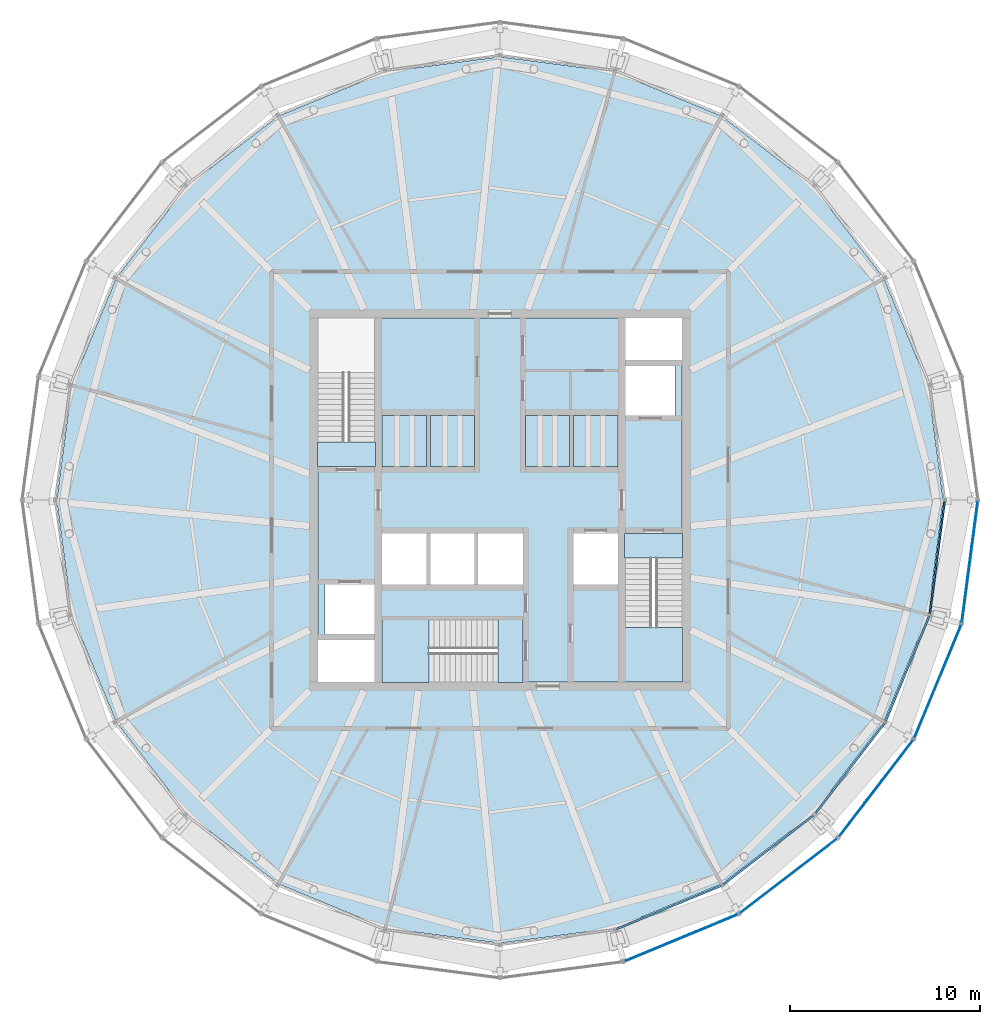
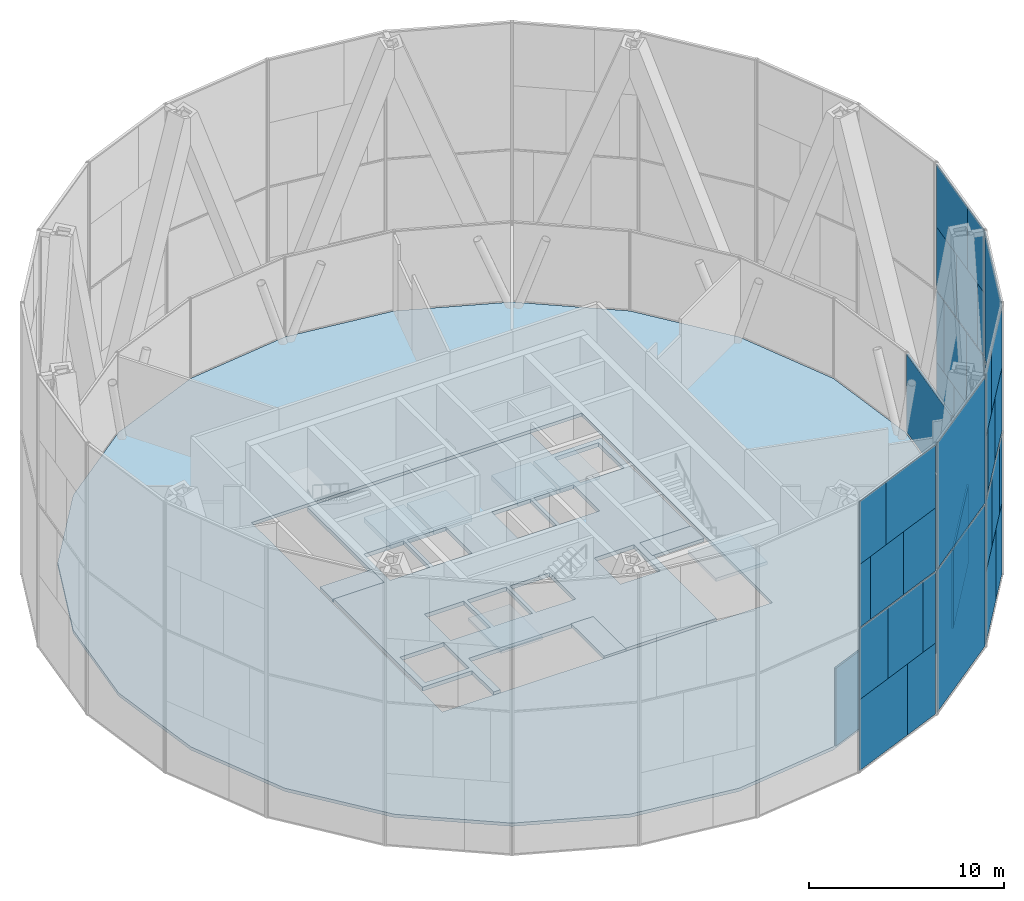
# One storey, part 10 of 15: 39 plates, 11 slabs, 12 elements without a shape of their own.
"""IFC4 building model written with IfcOpenShell, lengths in metres."""

from ifc_helpers import new_model, si_unit, direction, frame, origin, origin_2d, place, context, subcontext, project, spatial, polyline, rectangle, outline, extrude, material, layer, layer_set, type_object, element, aggregate, save


model = new_model("IFC4")

# Units and contexts
model_context = context("Model", 3, precision=1e-05, world=origin(), true_north=direction((0.0, 1.0)))
body_context = subcontext(model_context, "Body", "Model", "MODEL_VIEW")
ifc_project = project(units=[si_unit("LENGTHUNIT", "METRE"), si_unit("AREAUNIT", "SQUARE_METRE"), si_unit("VOLUMEUNIT", "CUBIC_METRE"), si_unit("PLANEANGLEUNIT", "RADIAN"), si_unit("MASSUNIT", "GRAM", prefix="KILO")], contexts=[model_context])

# Site, building, storey
site_placement = place(None, origin())
site = spatial("IfcSite", under=ifc_project, at=site_placement, CompositionType="ELEMENT")
building_placement = place(site_placement, origin())
building = spatial("IfcBuilding", under=site, at=building_placement, Name="Golbaran Civic Tower", CompositionType="ELEMENT")
storey_placement = place(building_placement, frame((0.0, 0.0, 215.0)))
storey = spatial("IfcBuildingStorey", under=building, at=storey_placement, Name="L52", CompositionType="ELEMENT", Elevation=215.0)

# Slabs
ifc_material_1 = material(Name="Concrete LC30/33 lightweight on steel deck", Category="concrete")
ifc_layer_1 = layer(ifc_material_1, 0.199951171875, Name="Concrete LC30/33 lightweight on steel deck")
ifc_layer_set_1 = layer_set([ifc_layer_1], Name="Concrete LC30/33 lightweight on steel deck")
slab_type_1 = type_object("IfcSlabType", Name="COMPOSITE FLOOR SLAB 200", PredefinedType="FLOOR", material=ifc_layer_set_1)
slab_1_placement = place(storey_placement, frame((0.0, 0.0, -0.199951171875)))
element("IfcSlab", 1, at=slab_1_placement, inside=storey, type_object=slab_type_1, Name="Floor slab L52", PredefinedType="FLOOR", context=body_context, shape_type="SweptSolid", body=[
    extrude(outline(polyline([(20.164794921875, -11.64208984375), (16.464599609375, -16.464599609375), (11.64208984375, -20.164794921875), (6.0263671875, -22.490966796875), (0.0, -23.284423828125), (-6.0263671875, -22.490966796875), (-11.64208984375, -20.164794921875), (-16.464599609375, -16.464599609375), (-20.164794921875, -11.64208984375), (-22.490966796875, -6.0263671875), (-23.284423828125, 0.0), (-22.490966796875, 6.0263671875), (-20.164794921875, 11.64208984375), (-16.464599609375, 16.464599609375), (-11.64208984375, 20.164794921875), (-6.0263671875, 22.490966796875), (0.0, 23.284423828125), (6.0263671875, 22.490966796875), (11.64208984375, 20.164794921875), (16.464599609375, 16.464599609375), (20.164794921875, 11.64208984375), (22.490966796875, 6.0263671875), (23.284423828125, 0.0), (22.490966796875, -6.0263671875), (20.164794921875, -11.64208984375)]), holes=[polyline([(-9.77490234375, 9.77490234375), (-9.77490234375, -9.77490234375), (9.77490234375, -9.77490234375), (9.77490234375, 9.77490234375), (-9.77490234375, 9.77490234375)])]), origin(), (0.0, 0.0, 1.0), 0.199951171875),
])
ifc_material_2 = material(Name="Concrete C35/45", Category="concrete")
ifc_layer_2 = layer(ifc_material_2, 0.25, Name="Concrete C35/45")
ifc_layer_set_2 = layer_set([ifc_layer_2], Name="Concrete C35/45")
slab_type_2 = type_object("IfcSlabType", Name="CORE FLOOR SLAB 250", PredefinedType="FLOOR", material=ifc_layer_set_2)
slab_2_placement = place(storey_placement, frame((0.0, 0.0, -0.25)))
element("IfcSlab", 2, at=slab_2_placement, inside=storey, type_object=slab_type_2, Name="Core floor slab L52", PredefinedType="FLOOR", context=body_context, shape_type="SweptSolid", body=[
    extrude(outline(polyline([(6.60009765625, -1.75), (6.60009765625, -9.550048828125), (1.199951171875, -9.550048828125), (1.199951171875, -6.300048828125), (-6.199951171875, -6.300048828125), (-6.199951171875, -9.550048828125), (-6.60009765625, -9.550048828125), (-6.60009765625, -7.35009765625), (-9.550048828125, -7.35009765625), (-9.550048828125, 1.75), (-6.60009765625, 1.75), (-6.60009765625, 9.550048828125), (6.60009765625, 9.550048828125), (6.60009765625, 7.35009765625), (9.550048828125, 7.35009765625), (9.550048828125, -1.75), (6.60009765625, -1.75)]), holes=[polyline([(9.199951171875, 7.050048828125), (6.60009765625, 7.050048828125), (6.60009765625, 4.449951171875), (9.199951171875, 4.449951171875), (9.199951171875, 7.050048828125)]), polyline([(6.199951171875, -1.75), (3.85009765625, -1.75), (3.85009765625, -4.449951171875), (6.199951171875, -4.449951171875), (6.199951171875, -1.75)]), polyline([(6.199951171875, 4.449951171875), (3.85009765625, 4.449951171875), (3.85009765625, 1.75), (6.199951171875, 1.75), (6.199951171875, 4.449951171875)]), polyline([(3.64990234375, 4.449951171875), (1.35009765625, 4.449951171875), (1.35009765625, 1.75), (3.64990234375, 1.75), (3.64990234375, 4.449951171875)]), polyline([(1.199951171875, -1.75), (-1.14990234375, -1.75), (-1.14990234375, -4.449951171875), (1.199951171875, -4.449951171875), (1.199951171875, -1.75)]), polyline([(-1.35009765625, 4.449951171875), (-3.64990234375, 4.449951171875), (-3.64990234375, 1.75), (-1.35009765625, 1.75), (-1.35009765625, 4.449951171875)]), polyline([(-1.35009765625, -1.75), (-3.64990234375, -1.75), (-3.64990234375, -4.449951171875), (-1.35009765625, -4.449951171875), (-1.35009765625, -1.75)]), polyline([(-3.85009765625, -1.75), (-6.199951171875, -1.75), (-6.199951171875, -4.449951171875), (-3.85009765625, -4.449951171875), (-3.85009765625, -1.75)]), polyline([(-3.85009765625, 4.449951171875), (-6.199951171875, 4.449951171875), (-6.199951171875, 1.75), (-3.85009765625, 1.75), (-3.85009765625, 4.449951171875)]), polyline([(-6.60009765625, -4.449951171875), (-9.199951171875, -4.449951171875), (-9.199951171875, -7.050048828125), (-6.60009765625, -7.050048828125), (-6.60009765625, -4.449951171875)])]), origin(), (0.0, 0.0, 1.0), 0.25),
])
ifc_layer_3 = layer(ifc_material_2, 0.300048828125, Name="Concrete C35/45")
ifc_layer_set_3 = layer_set([ifc_layer_3], Name="Concrete C35/45")
slab_type_3 = type_object("IfcSlabType", Name="LIFT PIT SLAB 300", PredefinedType="FLOOR", material=ifc_layer_set_3)
slab_3_placement = place(storey_placement, frame((0.0, 0.0, 2.0)))
element("IfcSlab", 3, at=slab_3_placement, inside=storey, type_object=slab_type_3, Name="Lift pit slab Z1T", PredefinedType="FLOOR", context=body_context, shape_type="SweptSolid", body=[
    extrude(outline(polyline([(-6.199951171875, 1.75), (-3.85009765625, 1.75), (-3.85009765625, 4.449951171875), (-6.199951171875, 4.449951171875), (-6.199951171875, 1.75)])), origin(), (0.0, 0.0, 1.0), 0.300048828125),
])
slab_4_placement = place(storey_placement, frame((0.0, 0.0, 2.0)))
element("IfcSlab", 4, at=slab_4_placement, inside=storey, type_object=slab_type_3, Name="Lift pit slab Z2T", PredefinedType="FLOOR", context=body_context, shape_type="SweptSolid", body=[
    extrude(outline(polyline([(-3.64990234375, 1.75), (-1.35009765625, 1.75), (-1.35009765625, 4.449951171875), (-3.64990234375, 4.449951171875), (-3.64990234375, 1.75)])), origin(), (0.0, 0.0, 1.0), 0.300048828125),
])
slab_5_placement = place(storey_placement, frame((0.0, 0.0, 2.0)))
element("IfcSlab", 5, at=slab_5_placement, inside=storey, type_object=slab_type_3, Name="Lift pit slab Z3T", PredefinedType="FLOOR", context=body_context, shape_type="SweptSolid", body=[
    extrude(outline(polyline([(1.35009765625, 1.75), (3.64990234375, 1.75), (3.64990234375, 4.449951171875), (1.35009765625, 4.449951171875), (1.35009765625, 1.75)])), origin(), (0.0, 0.0, 1.0), 0.300048828125),
])
slab_6_placement = place(storey_placement, frame((0.0, 0.0, 2.0)))
element("IfcSlab", 6, at=slab_6_placement, inside=storey, type_object=slab_type_3, Name="Lift pit slab Z4T", PredefinedType="FLOOR", context=body_context, shape_type="SweptSolid", body=[
    extrude(outline(polyline([(3.85009765625, 1.75), (6.199951171875, 1.75), (6.199951171875, 4.449951171875), (3.85009765625, 4.449951171875), (3.85009765625, 1.75)])), origin(), (0.0, 0.0, 1.0), 0.300048828125),
])

# Curtain wall, plates
ifc_material_3 = material(Name="Aluminium and glass", Category="aluminium")
curtain_wall_type_1 = type_object("IfcCurtainWallType", Name="OUTER SKIN TERRACOTTA SCREEN", PredefinedType="NOTDEFINED", material=ifc_material_3)
curtain_wall_1_placement = place(storey_placement, origin())
curtain_wall_1 = element("IfcCurtainWall", 7, at=curtain_wall_1_placement, inside=storey, type_object=curtain_wall_type_1, Name="Outer skin L52 facet 20 CW3", ObjectType="OUTER SKIN", PredefinedType="USERDEFINED")
ifc_material_4 = material(Name="Clear laminated glass", Category="glass")
ifc_layer_4 = layer(ifc_material_4, 0.0400390625, Name="Clear laminated glass")
ifc_layer_set_4 = layer_set([ifc_layer_4], Name="Clear laminated glass")
plate_type_1 = type_object("IfcPlateType", Name="OUTER SKIN CLEAR GLASS PANEL", PredefinedType="CURTAIN_PANEL", material=ifc_layer_set_4)
plate_1_placement = place(storey_placement, frame((8.434814453125, -23.4482421875, -0.6298828125), z_axis=(0.0, 0.0, 1.0), x_axis=(0.923879532485, 0.38268343243, 0.0)))
plate_1 = element("IfcPlate", 8, at=plate_1_placement, type_object=plate_type_1, Name="CW3 panel 1.1 part 1", PredefinedType="CURTAIN_PANEL", context=body_context, shape_type="SweptSolid", body=[
    extrude(rectangle(XDim=4.032958984375, YDim=0.0400390625, at=origin_2d()), origin(), (0.0, 0.0, 1.0), 4.43994140625),
])
plate_2_placement = place(storey_placement, frame((7.67724609375, -23.761962890625, 3.81005859375), z_axis=(0.0, 0.0, 1.0), x_axis=(0.923879532485, 0.38268343243, 0.0)))
plate_2 = element("IfcPlate", 9, at=plate_2_placement, type_object=plate_type_1, Name="CW3 panel 1.1 part 3", PredefinedType="CURTAIN_PANEL", context=body_context, shape_type="SweptSolid", body=[
    extrude(rectangle(XDim=2.39306640625, YDim=0.0400390625, at=origin_2d()), origin(), (0.0, 0.0, 1.0), 4.43994140625),
])
plate_3_placement = place(storey_placement, frame((11.998779296875, -21.971923828125, 3.81005859375), z_axis=(0.0, 0.0, 1.0), x_axis=(0.923879532485, 0.38268343243, 0.0)))
plate_3 = element("IfcPlate", 10, at=plate_3_placement, type_object=plate_type_1, Name="CW3 panel 1.1 part 5", PredefinedType="CURTAIN_PANEL", context=body_context, shape_type="SweptSolid", body=[
    extrude(rectangle(XDim=1.0400390625, YDim=0.0400390625, at=origin_2d()), origin(), (0.0, 0.0, 1.0), 4.43994140625),
])
plate_4_placement = place(storey_placement, frame((6.9912109375, -24.046142578125, 8.330078125), z_axis=(0.0, 0.0, 1.0), x_axis=(0.923879532485, 0.38268343243, 0.0)))
plate_4 = element("IfcPlate", 11, at=plate_4_placement, type_object=plate_type_1, Name="CW3 panel 1.2 part 1", PredefinedType="CURTAIN_PANEL", context=body_context, shape_type="SweptSolid", body=[
    extrude(rectangle(XDim=0.907958984375, YDim=0.0400390625, at=origin_2d()), origin(), (0.0, 0.0, 1.0), 3.93994140625),
])
plate_5_placement = place(storey_placement, frame((11.225341796875, -22.292236328125, 8.330078125), z_axis=(0.0, 0.0, 1.0), x_axis=(0.923879532485, 0.38268343243, 0.0)))
plate_5 = element("IfcPlate", 12, at=plate_5_placement, type_object=plate_type_1, Name="CW3 panel 1.2 part 3", PredefinedType="CURTAIN_PANEL", context=body_context, shape_type="SweptSolid", body=[
    extrude(rectangle(XDim=2.7138671875, YDim=0.0400390625, at=origin_2d()), origin(), (0.0, 0.0, 1.0), 3.93994140625),
])
plate_6_placement = place(storey_placement, frame((10.550537109375, -22.57177734375, 12.27001953125), z_axis=(0.0, 0.0, 1.0), x_axis=(0.923879532485, 0.38268343243, 0.0)))
plate_6 = element("IfcPlate", 13, at=plate_6_placement, type_object=plate_type_1, Name="CW3 panel 1.2 part 5", PredefinedType="CURTAIN_PANEL", context=body_context, shape_type="SweptSolid", body=[
    extrude(rectangle(XDim=4.175048828125, YDim=0.0400390625, at=origin_2d()), origin(), (0.0, 0.0, 1.0), 3.93994140625),
])

curtain_wall_2_placement = place(storey_placement, origin())
curtain_wall_2 = element("IfcCurtainWall", 14, at=curtain_wall_2_placement, inside=storey, type_object=curtain_wall_type_1, Name="Outer skin L52 facet 22 CW3", ObjectType="OUTER SKIN", PredefinedType="USERDEFINED")
plate_7_placement = place(storey_placement, frame((19.02880859375, -16.08935546875, -0.6298828125), z_axis=(0.0, 0.0, 1.0), x_axis=(0.60876142905, 0.793353340259, 0.0)))
plate_7 = element("IfcPlate", 15, at=plate_7_placement, type_object=plate_type_1, Name="CW3 panel 1.1 part 1", PredefinedType="CURTAIN_PANEL", context=body_context, shape_type="SweptSolid", body=[
    extrude(rectangle(XDim=4.032958984375, YDim=0.0400390625, at=origin_2d()), origin(), (0.0, 0.0, 1.0), 4.43994140625),
])
plate_8_placement = place(storey_placement, frame((18.52978515625, -16.739990234375, 3.81005859375), z_axis=(0.0, 0.0, 1.0), x_axis=(0.60876142905, 0.793353340259, 0.0)))
plate_8 = element("IfcPlate", 16, at=plate_8_placement, type_object=plate_type_1, Name="CW3 panel 1.1 part 3", PredefinedType="CURTAIN_PANEL", context=body_context, shape_type="SweptSolid", body=[
    extrude(rectangle(XDim=2.39306640625, YDim=0.0400390625, at=origin_2d()), origin(), (0.0, 0.0, 1.0), 4.43994140625),
])
plate_9_placement = place(storey_placement, frame((21.377197265625, -13.029052734375, 3.81005859375), z_axis=(0.0, 0.0, 1.0), x_axis=(0.60876142905, 0.793353340259, 0.0)))
plate_9 = element("IfcPlate", 17, at=plate_9_placement, type_object=plate_type_1, Name="CW3 panel 1.1 part 5", PredefinedType="CURTAIN_PANEL", context=body_context, shape_type="SweptSolid", body=[
    extrude(rectangle(XDim=1.0400390625, YDim=0.0400390625, at=origin_2d()), origin(), (0.0, 0.0, 1.0), 4.43994140625),
])
plate_10_placement = place(storey_placement, frame((18.07763671875, -17.328857421875, 8.330078125), z_axis=(0.0, 0.0, 1.0), x_axis=(0.60876142905, 0.793353340259, 0.0)))
plate_10 = element("IfcPlate", 18, at=plate_10_placement, type_object=plate_type_1, Name="CW3 panel 1.2 part 1", PredefinedType="CURTAIN_PANEL", context=body_context, shape_type="SweptSolid", body=[
    extrude(rectangle(XDim=0.907958984375, YDim=0.0400390625, at=origin_2d()), origin(), (0.0, 0.0, 1.0), 3.93994140625),
])
plate_11_placement = place(storey_placement, frame((20.86767578125, -13.693115234375, 8.330078125), z_axis=(0.0, 0.0, 1.0), x_axis=(0.60876142905, 0.793353340259, 0.0)))
plate_11 = element("IfcPlate", 19, at=plate_11_placement, type_object=plate_type_1, Name="CW3 panel 1.2 part 3", PredefinedType="CURTAIN_PANEL", context=body_context, shape_type="SweptSolid", body=[
    extrude(rectangle(XDim=2.7138671875, YDim=0.0400390625, at=origin_2d()), origin(), (0.0, 0.0, 1.0), 3.93994140625),
])
plate_12_placement = place(storey_placement, frame((20.4228515625, -14.272705078125, 12.27001953125), z_axis=(0.0, 0.0, 1.0), x_axis=(0.60876142905, 0.793353340259, 0.0)))
plate_12 = element("IfcPlate", 20, at=plate_12_placement, type_object=plate_type_1, Name="CW3 panel 1.2 part 5", PredefinedType="CURTAIN_PANEL", context=body_context, shape_type="SweptSolid", body=[
    extrude(rectangle(XDim=4.175048828125, YDim=0.0400390625, at=origin_2d()), origin(), (0.0, 0.0, 1.0), 3.93994140625),
])

curtain_wall_3_placement = place(storey_placement, origin())
curtain_wall_3 = element("IfcCurtainWall", 21, at=curtain_wall_3_placement, inside=storey, type_object=curtain_wall_type_1, Name="Outer skin L52 facet 24 CW3", ObjectType="OUTER SKIN", PredefinedType="USERDEFINED")
plate_13_placement = place(storey_placement, frame((24.524169921875, -4.41943359375, -0.6298828125), z_axis=(0.0, 0.0, 1.0), x_axis=(0.130526192203, 0.991444861376, 0.0)))
plate_13 = element("IfcPlate", 22, at=plate_13_placement, type_object=plate_type_1, Name="CW3 panel 1.1 part 1", PredefinedType="CURTAIN_PANEL", context=body_context, shape_type="SweptSolid", body=[
    extrude(rectangle(XDim=4.032958984375, YDim=0.0400390625, at=origin_2d()), origin(), (0.0, 0.0, 1.0), 4.43994140625),
])
plate_14_placement = place(storey_placement, frame((24.417236328125, -5.232421875, 3.81005859375), z_axis=(0.0, 0.0, 1.0), x_axis=(0.130526192203, 0.991444861376, 0.0)))
plate_14 = element("IfcPlate", 23, at=plate_14_placement, type_object=plate_type_1, Name="CW3 panel 1.1 part 3", PredefinedType="CURTAIN_PANEL", context=body_context, shape_type="SweptSolid", body=[
    extrude(rectangle(XDim=2.39306640625, YDim=0.0400390625, at=origin_2d()), origin(), (0.0, 0.0, 1.0), 4.43994140625),
])
plate_15_placement = place(storey_placement, frame((25.027587890625, -0.594970703125, 3.81005859375), z_axis=(0.0, 0.0, 1.0), x_axis=(0.130526192203, 0.991444861376, 0.0)))
plate_15 = element("IfcPlate", 24, at=plate_15_placement, type_object=plate_type_1, Name="CW3 panel 1.1 part 5", PredefinedType="CURTAIN_PANEL", context=body_context, shape_type="SweptSolid", body=[
    extrude(rectangle(XDim=1.0400390625, YDim=0.0400390625, at=origin_2d()), origin(), (0.0, 0.0, 1.0), 4.43994140625),
])
plate_16_placement = place(storey_placement, frame((24.3203125, -5.968505859375, 8.330078125), z_axis=(0.0, 0.0, 1.0), x_axis=(0.130526192203, 0.991444861376, 0.0)))
plate_16 = element("IfcPlate", 25, at=plate_16_placement, type_object=plate_type_1, Name="CW3 panel 1.2 part 1", PredefinedType="CURTAIN_PANEL", context=body_context, shape_type="SweptSolid", body=[
    extrude(rectangle(XDim=0.907958984375, YDim=0.0400390625, at=origin_2d()), origin(), (0.0, 0.0, 1.0), 3.93994140625),
])
plate_17_placement = place(storey_placement, frame((24.91845703125, -1.4248046875, 8.330078125), z_axis=(0.0, 0.0, 1.0), x_axis=(0.130526192203, 0.991444861376, 0.0)))
plate_17 = element("IfcPlate", 26, at=plate_17_placement, type_object=plate_type_1, Name="CW3 panel 1.2 part 3", PredefinedType="CURTAIN_PANEL", context=body_context, shape_type="SweptSolid", body=[
    extrude(rectangle(XDim=2.7138671875, YDim=0.0400390625, at=origin_2d()), origin(), (0.0, 0.0, 1.0), 3.93994140625),
])
plate_18_placement = place(storey_placement, frame((24.822998046875, -2.14892578125, 12.27001953125), z_axis=(0.0, 0.0, 1.0), x_axis=(0.130526192203, 0.991444861376, 0.0)))
plate_18 = element("IfcPlate", 27, at=plate_18_placement, type_object=plate_type_1, Name="CW3 panel 1.2 part 5", PredefinedType="CURTAIN_PANEL", context=body_context, shape_type="SweptSolid", body=[
    extrude(rectangle(XDim=4.175048828125, YDim=0.0400390625, at=origin_2d()), origin(), (0.0, 0.0, 1.0), 3.93994140625),
])

# Plate
ifc_material_5 = material(Name="Terracotta baguette screen", Category="masonry")
ifc_layer_5 = layer(ifc_material_5, 0.0400390625, Name="Terracotta baguette screen")
ifc_layer_set_5 = layer_set([ifc_layer_5], Name="Terracotta baguette screen")
plate_type_2 = type_object("IfcPlateType", Name="OUTER SKIN TERRACOTTA INFILL PANEL", PredefinedType="CURTAIN_PANEL", material=ifc_layer_set_5)
plate_19_placement = place(storey_placement, frame((11.388427734375, -22.224853515625, -0.6298828125), z_axis=(0.0, 0.0, 1.0), x_axis=(0.923879532485, 0.38268343243, 0.0)))
plate_19 = element("IfcPlate", 28, at=plate_19_placement, type_object=plate_type_2, Name="CW3 infill panel 1.1 part 2", PredefinedType="CURTAIN_PANEL", context=body_context, shape_type="SweptSolid", body=[
    extrude(rectangle(XDim=2.361083984375, YDim=0.0400390625, at=origin_2d()), origin(), (0.0, 0.0, 1.0), 4.43994140625),
])

plate_20_placement = place(storey_placement, frame((10.150390625, -22.737548828125, 3.81005859375), z_axis=(0.0, 0.0, 1.0), x_axis=(0.923879532485, 0.38268343243, 0.0)))
plate_20 = element("IfcPlate", 29, at=plate_20_placement, type_object=plate_type_2, Name="CW3 infill panel 1.1 part 4", PredefinedType="CURTAIN_PANEL", context=body_context, shape_type="SweptSolid", body=[
    extrude(rectangle(XDim=2.9609375, YDim=0.0400390625, at=origin_2d()), origin(), (0.0, 0.0, 1.0), 4.43994140625),
])

plate_21_placement = place(storey_placement, frame((8.691162109375, -23.342041015625, 8.330078125), z_axis=(0.0, 0.0, 1.0), x_axis=(0.923879532485, 0.38268343243, 0.0)))
plate_21 = element("IfcPlate", 30, at=plate_21_placement, type_object=plate_type_2, Name="CW3 infill panel 1.2 part 2", PredefinedType="CURTAIN_PANEL", context=body_context, shape_type="SweptSolid", body=[
    extrude(rectangle(XDim=2.77197265625, YDim=0.0400390625, at=origin_2d()), origin(), (0.0, 0.0, 1.0), 3.93994140625),
])

plate_22_placement = place(storey_placement, frame((7.596923828125, -23.79541015625, 12.27001953125), z_axis=(0.0, 0.0, 1.0), x_axis=(0.923879532485, 0.38268343243, 0.0)))
plate_22 = element("IfcPlate", 31, at=plate_22_placement, type_object=plate_type_2, Name="CW3 infill panel 1.2 part 4", PredefinedType="CURTAIN_PANEL", context=body_context, shape_type="SweptSolid", body=[
    extrude(rectangle(XDim=2.218994140625, YDim=0.0400390625, at=origin_2d()), origin(), (0.0, 0.0, 1.0), 3.93994140625),
])

aggregate(curtain_wall_1, [plate_1, plate_19, plate_2, plate_20, plate_3, plate_4, plate_21, plate_5, plate_22, plate_6])

plate_23_placement = place(storey_placement, frame((20.97509765625, -13.552978515625, -0.6298828125), z_axis=(0.0, 0.0, 1.0), x_axis=(0.60876142905, 0.793353340259, 0.0)))
plate_23 = element("IfcPlate", 32, at=plate_23_placement, type_object=plate_type_2, Name="CW3 infill panel 1.1 part 2", PredefinedType="CURTAIN_PANEL", context=body_context, shape_type="SweptSolid", body=[
    extrude(rectangle(XDim=2.361083984375, YDim=0.0400390625, at=origin_2d()), origin(), (0.0, 0.0, 1.0), 4.43994140625),
])

plate_24_placement = place(storey_placement, frame((20.159423828125, -14.6162109375, 3.81005859375), z_axis=(0.0, 0.0, 1.0), x_axis=(0.60876142905, 0.793353340259, 0.0)))
plate_24 = element("IfcPlate", 33, at=plate_24_placement, type_object=plate_type_2, Name="CW3 infill panel 1.1 part 4", PredefinedType="CURTAIN_PANEL", context=body_context, shape_type="SweptSolid", body=[
    extrude(rectangle(XDim=2.9609375, YDim=0.0400390625, at=origin_2d()), origin(), (0.0, 0.0, 1.0), 4.43994140625),
])

plate_25_placement = place(storey_placement, frame((19.19775390625, -15.869140625, 8.330078125), z_axis=(0.0, 0.0, 1.0), x_axis=(0.60876142905, 0.793353340259, 0.0)))
plate_25 = element("IfcPlate", 34, at=plate_25_placement, type_object=plate_type_2, Name="CW3 infill panel 1.2 part 2", PredefinedType="CURTAIN_PANEL", context=body_context, shape_type="SweptSolid", body=[
    extrude(rectangle(XDim=2.77197265625, YDim=0.0400390625, at=origin_2d()), origin(), (0.0, 0.0, 1.0), 3.93994140625),
])

plate_26_placement = place(storey_placement, frame((18.476806640625, -16.808837890625, 12.27001953125), z_axis=(0.0, 0.0, 1.0), x_axis=(0.60876142905, 0.793353340259, 0.0)))
plate_26 = element("IfcPlate", 35, at=plate_26_placement, type_object=plate_type_2, Name="CW3 infill panel 1.2 part 4", PredefinedType="CURTAIN_PANEL", context=body_context, shape_type="SweptSolid", body=[
    extrude(rectangle(XDim=2.218994140625, YDim=0.0400390625, at=origin_2d()), origin(), (0.0, 0.0, 1.0), 3.93994140625),
])

aggregate(curtain_wall_2, [plate_7, plate_23, plate_8, plate_24, plate_9, plate_10, plate_25, plate_11, plate_26, plate_12])

plate_27_placement = place(storey_placement, frame((24.94140625, -1.249755859375, -0.6298828125), z_axis=(0.0, 0.0, 1.0), x_axis=(0.130526192203, 0.991444861376, 0.0)))
plate_27 = element("IfcPlate", 36, at=plate_27_placement, type_object=plate_type_2, Name="CW3 infill panel 1.1 part 2", PredefinedType="CURTAIN_PANEL", context=body_context, shape_type="SweptSolid", body=[
    extrude(rectangle(XDim=2.361083984375, YDim=0.0400390625, at=origin_2d()), origin(), (0.0, 0.0, 1.0), 4.43994140625),
])

plate_28_placement = place(storey_placement, frame((24.7666015625, -2.578125, 3.81005859375), z_axis=(0.0, 0.0, 1.0), x_axis=(0.130526192203, 0.991444861376, 0.0)))
plate_28 = element("IfcPlate", 37, at=plate_28_placement, type_object=plate_type_2, Name="CW3 infill panel 1.1 part 4", PredefinedType="CURTAIN_PANEL", context=body_context, shape_type="SweptSolid", body=[
    extrude(rectangle(XDim=2.9609375, YDim=0.0400390625, at=origin_2d()), origin(), (0.0, 0.0, 1.0), 4.43994140625),
])

plate_29_placement = place(storey_placement, frame((24.560302734375, -4.144287109375, 8.330078125), z_axis=(0.0, 0.0, 1.0), x_axis=(0.130526192203, 0.991444861376, 0.0)))
plate_29 = element("IfcPlate", 38, at=plate_29_placement, type_object=plate_type_2, Name="CW3 infill panel 1.2 part 2", PredefinedType="CURTAIN_PANEL", context=body_context, shape_type="SweptSolid", body=[
    extrude(rectangle(XDim=2.77197265625, YDim=0.0400390625, at=origin_2d()), origin(), (0.0, 0.0, 1.0), 3.93994140625),
])

plate_30_placement = place(storey_placement, frame((24.40576171875, -5.318603515625, 12.27001953125), z_axis=(0.0, 0.0, 1.0), x_axis=(0.130526192203, 0.991444861376, 0.0)))
plate_30 = element("IfcPlate", 39, at=plate_30_placement, type_object=plate_type_2, Name="CW3 infill panel 1.2 part 4", PredefinedType="CURTAIN_PANEL", context=body_context, shape_type="SweptSolid", body=[
    extrude(rectangle(XDim=2.218994140625, YDim=0.0400390625, at=origin_2d()), origin(), (0.0, 0.0, 1.0), 3.93994140625),
])

aggregate(curtain_wall_3, [plate_13, plate_27, plate_14, plate_28, plate_15, plate_16, plate_29, plate_17, plate_30, plate_18])

# Curtain wall, plates
curtain_wall_4_placement = place(storey_placement, origin())
curtain_wall_4 = element("IfcCurtainWall", 40, at=curtain_wall_4_placement, inside=storey, type_object=curtain_wall_type_1, Name="Outer skin L52 facet 21 CW3", ObjectType="OUTER SKIN", PredefinedType="USERDEFINED")
ifc_layer_6 = layer(ifc_material_5, 0.0400390625, Name="Terracotta baguette screen")
ifc_layer_set_6 = layer_set([ifc_layer_6], Name="Terracotta baguette screen")
plate_type_3 = type_object("IfcPlateType", Name="OUTER SKIN TERRACOTTA SCREEN PANEL", PredefinedType="CURTAIN_PANEL", material=ifc_layer_set_6)
plate_31_placement = place(storey_placement, frame((15.15283203125, -19.74755859375, -0.6298828125), z_axis=(0.0, 0.0, 1.0), x_axis=(0.793353340259, 0.60876142905, 0.0)))
plate_31 = element("IfcPlate", 41, at=plate_31_placement, type_object=plate_type_3, Name="CW3 terracotta screen panel 1.1", PredefinedType="CURTAIN_PANEL", context=body_context, shape_type="SweptSolid", body=[
    extrude(rectangle(XDim=6.39404296875, YDim=0.0400390625, at=origin_2d()), origin(), (0.0, 0.0, 1.0), 8.8798828125),
])
plate_32_placement = place(storey_placement, frame((15.15283203125, -19.74755859375, 8.330078125), z_axis=(0.0, 0.0, 1.0), x_axis=(0.793353340259, 0.60876142905, 0.0)))
plate_32 = element("IfcPlate", 42, at=plate_32_placement, type_object=plate_type_3, Name="CW3 terracotta screen panel 1.2", PredefinedType="CURTAIN_PANEL", context=body_context, shape_type="SweptSolid", body=[
    extrude(rectangle(XDim=6.39404296875, YDim=0.0400390625, at=origin_2d()), origin(), (0.0, 0.0, 1.0), 7.8798828125),
])
aggregate(curtain_wall_4, [plate_31, plate_32])

curtain_wall_5_placement = place(storey_placement, origin())
curtain_wall_5 = element("IfcCurtainWall", 43, at=curtain_wall_5_placement, inside=storey, type_object=curtain_wall_type_1, Name="Outer skin L52 facet 23 CW3", ObjectType="OUTER SKIN", PredefinedType="USERDEFINED")
plate_33_placement = place(storey_placement, frame((22.99658203125, -9.525390625, -0.6298828125), z_axis=(0.0, 0.0, 1.0), x_axis=(0.38268343243, 0.923879532485, 0.0)))
plate_33 = element("IfcPlate", 44, at=plate_33_placement, type_object=plate_type_3, Name="CW3 terracotta screen panel 1.1", PredefinedType="CURTAIN_PANEL", context=body_context, shape_type="SweptSolid", body=[
    extrude(rectangle(XDim=6.39404296875, YDim=0.0400390625, at=origin_2d()), origin(), (0.0, 0.0, 1.0), 8.8798828125),
])
plate_34_placement = place(storey_placement, frame((22.99658203125, -9.525390625, 8.330078125), z_axis=(0.0, 0.0, 1.0), x_axis=(0.38268343243, 0.923879532485, 0.0)))
plate_34 = element("IfcPlate", 45, at=plate_34_placement, type_object=plate_type_3, Name="CW3 terracotta screen panel 1.2", PredefinedType="CURTAIN_PANEL", context=body_context, shape_type="SweptSolid", body=[
    extrude(rectangle(XDim=6.39404296875, YDim=0.0400390625, at=origin_2d()), origin(), (0.0, 0.0, 1.0), 7.8798828125),
])
aggregate(curtain_wall_5, [plate_33, plate_34])

# Curtain wall, plate
curtain_wall_type_2 = type_object("IfcCurtainWallType", Name="PLANT FLOOR LOUVRE WALL", PredefinedType="NOTDEFINED", material=ifc_material_3)
curtain_wall_6_placement = place(storey_placement, origin())
curtain_wall_6 = element("IfcCurtainWall", 46, at=curtain_wall_6_placement, inside=storey, type_object=curtain_wall_type_2, Name="Inner skin L52 facet 20 CW6", ObjectType="PLANT LOUVRE WALL", PredefinedType="USERDEFINED")
ifc_material_6 = material(Name="Aluminium louvre", Category="aluminium")
ifc_layer_7 = layer(ifc_material_6, 0.10009765625, Name="Aluminium louvre")
ifc_layer_set_7 = layer_set([ifc_layer_7], Name="Aluminium louvre")
plate_type_4 = type_object("IfcPlateType", Name="PLANT FLOOR LOUVRE WALL LOUVRE PANEL", PredefinedType="CURTAIN_PANEL", material=ifc_layer_set_7)
plate_35_placement = place(storey_placement, frame((8.864990234375, -21.40185546875, 0.06982421875), z_axis=(0.0, 0.0, 1.0), x_axis=(0.923879532498, 0.382683432397, 0.0)))
plate_35 = element("IfcPlate", 47, at=plate_35_placement, type_object=plate_type_4, Name="CW6 panel 1.1", PredefinedType="CURTAIN_PANEL", context=body_context, shape_type="SweptSolid", body=[
    extrude(rectangle(XDim=5.95947265625, YDim=0.10009765625, at=origin_2d()), origin(), (0.0, 0.0, 1.0), 4.860107421875),
])
aggregate(curtain_wall_6, [plate_35])

curtain_wall_7_placement = place(storey_placement, origin())
curtain_wall_7 = element("IfcCurtainWall", 48, at=curtain_wall_7_placement, inside=storey, type_object=curtain_wall_type_2, Name="Inner skin L52 facet 21 CW6", ObjectType="PLANT LOUVRE WALL", PredefinedType="USERDEFINED")
plate_36_placement = place(storey_placement, frame((14.10205078125, -18.378173828125, 0.06982421875), z_axis=(0.0, 0.0, 1.0), x_axis=(0.79335334027, 0.608761429036, 0.0)))
plate_36 = element("IfcPlate", 49, at=plate_36_placement, type_object=plate_type_4, Name="CW6 panel 1.1", PredefinedType="CURTAIN_PANEL", context=body_context, shape_type="SweptSolid", body=[
    extrude(rectangle(XDim=5.95947265625, YDim=0.10009765625, at=origin_2d()), origin(), (0.0, 0.0, 1.0), 4.860107421875),
])
aggregate(curtain_wall_7, [plate_36])

curtain_wall_8_placement = place(storey_placement, origin())
curtain_wall_8 = element("IfcCurtainWall", 50, at=curtain_wall_8_placement, inside=storey, type_object=curtain_wall_type_2, Name="Inner skin L52 facet 22 CW6", ObjectType="PLANT LOUVRE WALL", PredefinedType="USERDEFINED")
plate_37_placement = place(storey_placement, frame((18.378173828125, -14.10205078125, 0.06982421875), z_axis=(0.0, 0.0, 1.0), x_axis=(0.608761429036, 0.79335334027, 0.0)))
plate_37 = element("IfcPlate", 51, at=plate_37_placement, type_object=plate_type_4, Name="CW6 panel 1.1", PredefinedType="CURTAIN_PANEL", context=body_context, shape_type="SweptSolid", body=[
    extrude(rectangle(XDim=5.95947265625, YDim=0.10009765625, at=origin_2d()), origin(), (0.0, 0.0, 1.0), 4.860107421875),
])
aggregate(curtain_wall_8, [plate_37])

curtain_wall_9_placement = place(storey_placement, origin())
curtain_wall_9 = element("IfcCurtainWall", 52, at=curtain_wall_9_placement, inside=storey, type_object=curtain_wall_type_2, Name="Inner skin L52 facet 23 CW6", ObjectType="PLANT LOUVRE WALL", PredefinedType="USERDEFINED")
plate_38_placement = place(storey_placement, frame((21.40185546875, -8.864990234375, 0.06982421875), z_axis=(0.0, 0.0, 1.0), x_axis=(0.382683432397, 0.923879532498, 0.0)))
plate_38 = element("IfcPlate", 53, at=plate_38_placement, type_object=plate_type_4, Name="CW6 panel 1.1", PredefinedType="CURTAIN_PANEL", context=body_context, shape_type="SweptSolid", body=[
    extrude(rectangle(XDim=5.95947265625, YDim=0.10009765625, at=origin_2d()), origin(), (0.0, 0.0, 1.0), 4.860107421875),
])
aggregate(curtain_wall_9, [plate_38])

curtain_wall_10_placement = place(storey_placement, origin())
curtain_wall_10 = element("IfcCurtainWall", 54, at=curtain_wall_10_placement, inside=storey, type_object=curtain_wall_type_2, Name="Inner skin L52 facet 24 CW6", ObjectType="PLANT LOUVRE WALL", PredefinedType="USERDEFINED")
plate_39_placement = place(storey_placement, frame((22.967041015625, -3.023681640625, 0.06982421875), z_axis=(0.0, 0.0, 1.0), x_axis=(0.130526192255, 0.991444861369, 0.0)))
plate_39 = element("IfcPlate", 55, at=plate_39_placement, type_object=plate_type_4, Name="CW6 panel 1.1", PredefinedType="CURTAIN_PANEL", context=body_context, shape_type="SweptSolid", body=[
    extrude(rectangle(XDim=5.95947265625, YDim=0.10009765625, at=origin_2d()), origin(), (0.0, 0.0, 1.0), 4.860107421875),
])
aggregate(curtain_wall_10, [plate_39])

# Slab
ifc_layer_8 = layer(ifc_material_2, 0.199951171875, Name="Concrete C35/45")
ifc_layer_set_8 = layer_set([ifc_layer_8], Name="Concrete C35/45")
slab_type_4 = type_object("IfcSlabType", Name="STAIR LANDING 200", PredefinedType="LANDING", material=ifc_layer_set_8)
slab_7_placement = place(storey_placement, frame((0.0, 0.0, -0.199951171875)))
element("IfcSlab", 56, at=slab_7_placement, inside=storey, type_object=slab_type_4, Name="Stair S1 floor landing L52", PredefinedType="LANDING", context=body_context, shape_type="SweptSolid", body=[
    extrude(outline(polyline([(-9.60009765625, 1.75), (-9.60009765625, 3.054931640625), (-6.550048828125, 3.054931640625), (-6.550048828125, 1.75), (-9.60009765625, 1.75)])), origin(), (0.0, 0.0, 1.0), 0.199951171875),
])

# Stair, slab
stair_type_1 = type_object("IfcStairType", Name="EXIT STAIR 2950 x 7800, 5000 RISE", PredefinedType="HALF_TURN_STAIR", material=ifc_material_2)
stair_1_placement = place(storey_placement, origin())
stair_1 = element("IfcStair", 57, at=stair_1_placement, inside=storey, type_object=stair_type_1, Name="Stair S2 L52", PredefinedType="HALF_TURN_STAIR")
slab_8_placement = place(storey_placement, frame((0.0, 0.0, 2.300048828125)))
slab_8 = element("IfcSlab", 58, at=slab_8_placement, type_object=slab_type_4, Name="ST29578-50 landing 1", PredefinedType="LANDING", context=body_context, shape_type="SweptSolid", body=[
    extrude(outline(polyline([(9.60009765625, -6.68505859375), (9.60009765625, -9.550048828125), (6.550048828125, -9.550048828125), (6.550048828125, -6.68505859375), (9.60009765625, -6.68505859375)])), origin(), (0.0, 0.0, 1.0), 0.199951171875),
])
aggregate(stair_1, [slab_8])

# Slab
slab_9_placement = place(storey_placement, frame((0.0, 0.0, -0.199951171875)))
element("IfcSlab", 59, at=slab_9_placement, inside=storey, type_object=slab_type_4, Name="Stair S2 floor landing L52", PredefinedType="LANDING", context=body_context, shape_type="SweptSolid", body=[
    extrude(outline(polyline([(9.60009765625, -1.75), (9.60009765625, -3.054931640625), (6.550048828125, -3.054931640625), (6.550048828125, -1.75), (9.60009765625, -1.75)])), origin(), (0.0, 0.0, 1.0), 0.199951171875),
])

# Stair, slab
stair_type_2 = type_object("IfcStairType", Name="EXIT STAIR 3250 x 7400, 5000 RISE", PredefinedType="HALF_TURN_STAIR", material=ifc_material_2)
stair_2_placement = place(storey_placement, origin())
stair_2 = element("IfcStair", 60, at=stair_2_placement, inside=storey, type_object=stair_type_2, Name="Stair S3 L52", PredefinedType="HALF_TURN_STAIR")
slab_10_placement = place(storey_placement, frame((0.0, 0.0, 2.300048828125)))
slab_10 = element("IfcSlab", 61, at=slab_10_placement, type_object=slab_type_4, Name="ST32574-50 landing 1", PredefinedType="LANDING", context=body_context, shape_type="SweptSolid", body=[
    extrude(outline(polyline([(-3.735107421875, -9.60009765625), (-6.199951171875, -9.60009765625), (-6.199951171875, -6.25), (-3.735107421875, -6.25), (-3.735107421875, -9.60009765625)])), origin(), (0.0, 0.0, 1.0), 0.199951171875),
])
aggregate(stair_2, [slab_10])

# Slab
slab_11_placement = place(storey_placement, frame((0.0, 0.0, -0.199951171875)))
element("IfcSlab", 62, at=slab_11_placement, inside=storey, type_object=slab_type_4, Name="Stair S3 floor landing L52", PredefinedType="LANDING", context=body_context, shape_type="SweptSolid", body=[
    extrude(outline(polyline([(1.199951171875, -9.60009765625), (-0.10498046875, -9.60009765625), (-0.10498046875, -6.25), (1.199951171875, -6.25), (1.199951171875, -9.60009765625)])), origin(), (0.0, 0.0, 1.0), 0.199951171875),
])

save(model, "model.ifc")
